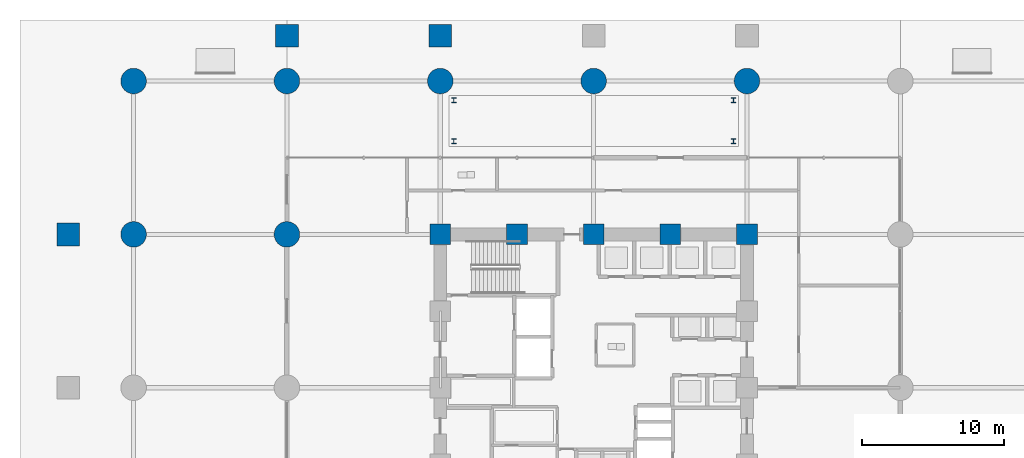
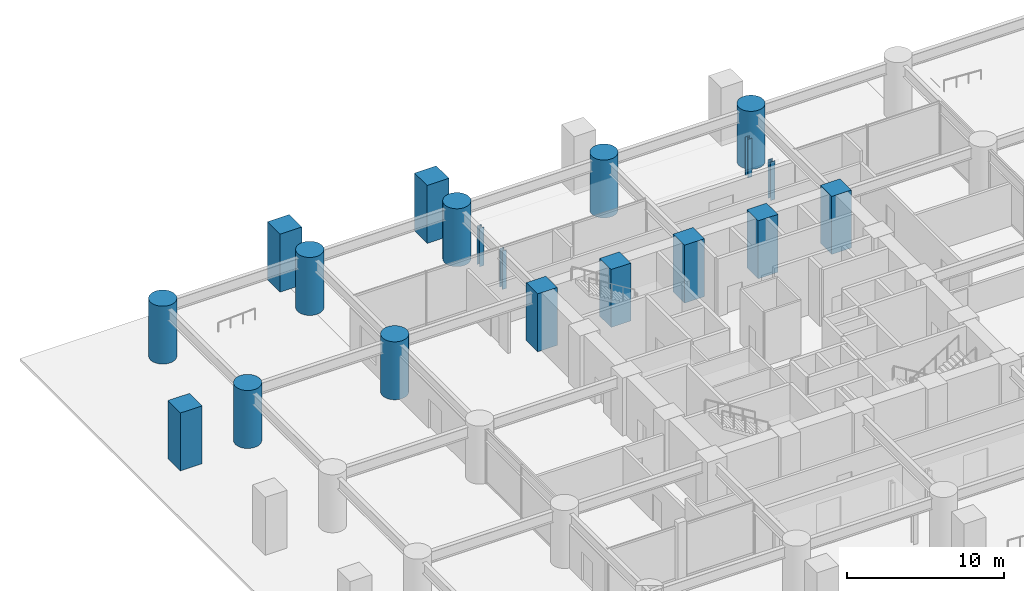
# One storey, part 3 of 29: 19 columns.
"""IFC4 building model written with IfcOpenShell, lengths in metres."""

from ifc_helpers import new_model, si_unit, direction, frame, origin, origin_2d, place, context, subcontext, project, spatial, rectangle, circle, i_section, extrude, material, material_profile, profile_set, type_object, element, save


model = new_model("IFC4")

# Units and contexts
model_context = context("Model", 3, precision=1e-05, world=origin(), true_north=direction((0.0, 1.0)))
body_context = subcontext(model_context, "Body", "Model", "MODEL_VIEW")
ifc_project = project(units=[si_unit("LENGTHUNIT", "METRE"), si_unit("AREAUNIT", "SQUARE_METRE"), si_unit("VOLUMEUNIT", "CUBIC_METRE"), si_unit("PLANEANGLEUNIT", "RADIAN"), si_unit("MASSUNIT", "GRAM", prefix="KILO")], contexts=[model_context])

# Site, building, storey
site_placement = place(None, origin())
site = spatial("IfcSite", under=ifc_project, at=site_placement, CompositionType="ELEMENT")
building_placement = place(site_placement, origin())
building = spatial("IfcBuilding", under=site, at=building_placement, Name="Surkhivell Harbour Commons", CompositionType="ELEMENT")
storey_placement = place(building_placement, origin())
storey = spatial("IfcBuildingStorey", under=building, at=storey_placement, Name="L00", CompositionType="ELEMENT", Elevation=0.0)

# Columns
ifc_material_1 = material(Name="Concrete C80/95", Category="concrete")
ifc_material_profile_1 = material_profile(ifc_material_1, rectangle(XDim=1.449951171875, YDim=1.449951171875, at=origin_2d()), Name="RC-COL-1450x1450")
ifc_profile_set_1 = profile_set([ifc_material_profile_1], Name="Concrete C80/95")
column_type_1 = type_object("IfcColumnType", Name="COL-CORE-1450", PredefinedType="COLUMN", material=ifc_profile_set_1)
for number, where, z_axis, x_axis, name in (
    (1, (-10.800048828125, 10.800048828125, 0.0), (0.0, 0.0, 1.0), (1.0, 0.0, 0.0), "L00 Column CC-1 (-10.8,10.8)"),
    (2, (-5.39990234375, 10.800048828125, 0.0), (0.0, 0.0, 1.0), (1.0, 0.0, 0.0), "L00 Column CC-1 (-5.4,10.8)"),
    (3, (0.0, 10.800048828125, 0.0), (0.0, 0.0, 1.0), (1.0, 0.0, 0.0), "L00 Column CC-1 (0.0,10.8)"),
    (4, (5.39990234375, 10.800048828125, 0.0), (0.0, 0.0, 1.0), (1.0, 0.0, 0.0), "L00 Column CC-1 (5.4,10.8)"),
    (5, (10.800048828125, 10.800048828125, 0.0), (0.0, 0.0, 1.0), (1.0, 0.0, 0.0), "L00 Column CC-1 (10.8,10.8)"),
):
    element("IfcColumn", number, at=place(storey_placement, frame(where, z_axis=z_axis, x_axis=x_axis)), inside=storey, type_object=column_type_1, Name=name, PredefinedType="COLUMN", context=body_context, shape_type="SweptSolid", body=[
        extrude(rectangle(XDim=1.449951171875, YDim=1.449951171875, at=origin_2d()), origin(), (0.0, 0.0, 1.0), 4.5),
    ])
ifc_material_2 = material(Name="Steel S355", Category="steel")
ifc_material_profile_2 = material_profile(ifc_material_2, i_section(OverallWidth=0.31396484375, OverallDepth=0.340087890625, WebThickness=0.01904296875, FlangeThickness=0.031494140625, at=origin_2d()), Name="UC305x305x198")
ifc_profile_set_2 = profile_set([ifc_material_profile_2], Name="Steel S355")
column_type_2 = type_object("IfcColumnType", Name="COL-CRN-UC305", PredefinedType="COLUMN", material=ifc_profile_set_2)
for number, where, z_axis, x_axis, name in (
    (6, (-9.85009765625, 17.35009765625, 0.0), (0.0, 0.0, 1.0), (1.0, 0.0, 0.0), "L00 Canopy Support Post CAN-N1-1"),
    (7, (9.85009765625, 17.35009765625, 0.0), (0.0, 0.0, 1.0), (1.0, 0.0, 0.0), "L00 Canopy Support Post CAN-N1-2"),
    (8, (9.85009765625, 20.25, 0.0), (0.0, 0.0, 1.0), (1.0, 0.0, 0.0), "L00 Canopy Support Post CAN-N1-3"),
    (9, (-9.85009765625, 20.25, 0.0), (0.0, 0.0, 1.0), (1.0, 0.0, 0.0), "L00 Canopy Support Post CAN-N1-4"),
):
    element("IfcColumn", number, at=place(storey_placement, frame(where, z_axis=z_axis, x_axis=x_axis)), inside=storey, type_object=column_type_2, Name=name, PredefinedType="COLUMN", context=body_context, shape_type="SweptSolid", body=[
        extrude(i_section(OverallWidth=0.31396484375, OverallDepth=0.340087890625, WebThickness=0.01904296875, FlangeThickness=0.031494140625, at=origin_2d()), origin(), (0.0, 0.0, 1.0), 2.989990234375),
    ])
ifc_material_profile_3 = material_profile(ifc_material_1, rectangle(XDim=1.60009765625, YDim=1.60009765625, at=origin_2d()), Name="RC-COL-1600x1600")
ifc_profile_set_3 = profile_set([ifc_material_profile_3], Name="Concrete C80/95")
column_type_3 = type_object("IfcColumnType", Name="COL-MEGA-1600", PredefinedType="COLUMN", material=ifc_profile_set_3)
for number, where, z_axis, x_axis, name in (
    (10, (-37.0, 10.800048828125, 0.0), (0.0, 0.0, 1.0), (1.0, 0.0, 0.0), "L00 Column CM-1 (-37.0,10.8)"),
    (11, (-21.60009765625, 24.800048828125, 0.0), (0.0, 0.0, 1.0), (1.0, 0.0, 0.0), "L00 Column CM-1 (-21.6,24.8)"),
    (12, (-10.800048828125, 24.800048828125, 0.0), (0.0, 0.0, 1.0), (1.0, 0.0, 0.0), "L00 Column CM-1 (-10.8,24.8)"),
):
    element("IfcColumn", number, at=place(storey_placement, frame(where, z_axis=z_axis, x_axis=x_axis)), inside=storey, type_object=column_type_3, Name=name, PredefinedType="COLUMN", context=body_context, shape_type="SweptSolid", body=[
        extrude(rectangle(XDim=1.60009765625, YDim=1.60009765625, at=origin_2d()), origin(), (0.0, 0.0, 1.0), 4.5),
    ])
ifc_material_profile_4 = material_profile(ifc_material_1, circle(Radius=0.89990234375, at=origin_2d()), Name="RC-CIRC-1800")
ifc_profile_set_4 = profile_set([ifc_material_profile_4], Name="Concrete C80/95")
column_type_4 = type_object("IfcColumnType", Name="COL-STILT-1800", PredefinedType="COLUMN", material=ifc_profile_set_4)
for number, where, z_axis, x_axis, name in (
    (13, (-32.39990234375, 10.800048828125, 0.0), (0.0, 0.0, 1.0), (1.0, 0.0, 0.0), "L00 Column CS-1 (-32.4,10.8)"),
    (14, (-32.39990234375, 21.60009765625, 0.0), (0.0, 0.0, 1.0), (1.0, 0.0, 0.0), "L00 Column CS-1 (-32.4,21.6)"),
    (15, (-21.60009765625, 10.800048828125, 0.0), (0.0, 0.0, 1.0), (1.0, 0.0, 0.0), "L00 Column CS-1 (-21.6,10.8)"),
    (16, (-21.60009765625, 21.60009765625, 0.0), (0.0, 0.0, 1.0), (1.0, 0.0, 0.0), "L00 Column CS-1 (-21.6,21.6)"),
    (17, (-10.800048828125, 21.60009765625, 0.0), (0.0, 0.0, 1.0), (1.0, 0.0, 0.0), "L00 Column CS-1 (-10.8,21.6)"),
    (18, (0.0, 21.60009765625, 0.0), (0.0, 0.0, 1.0), (1.0, 0.0, 0.0), "L00 Column CS-1 (0.0,21.6)"),
    (19, (10.800048828125, 21.60009765625, 0.0), (0.0, 0.0, 1.0), (1.0, 0.0, 0.0), "L00 Column CS-1 (10.8,21.6)"),
):
    element("IfcColumn", number, at=place(storey_placement, frame(where, z_axis=z_axis, x_axis=x_axis)), inside=storey, type_object=column_type_4, Name=name, PredefinedType="COLUMN", context=body_context, shape_type="SweptSolid", body=[
        extrude(circle(Radius=0.89990234375, at=origin_2d()), origin(), (0.0, 0.0, 1.0), 4.5),
    ])

save(model, "model.ifc")
